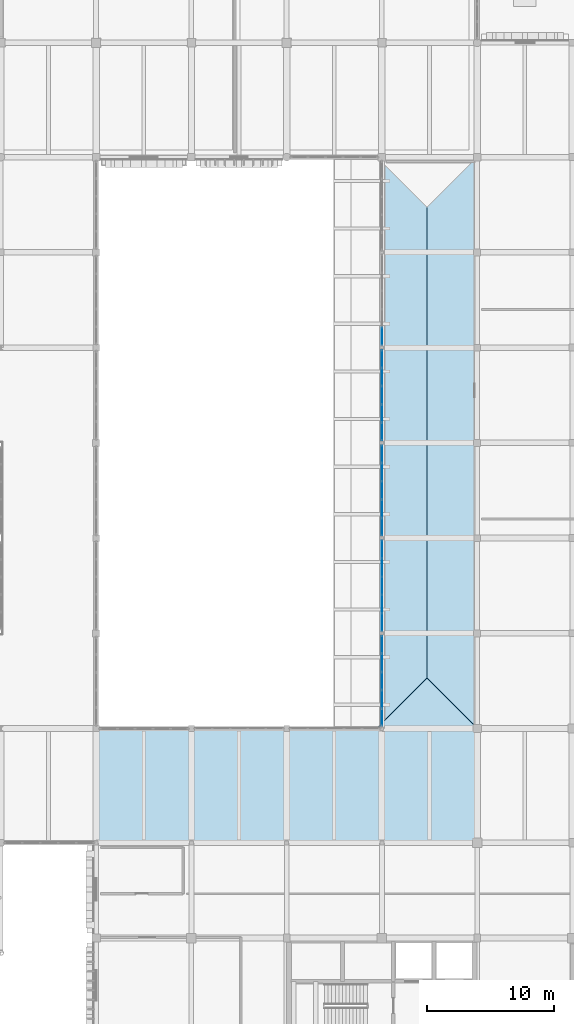
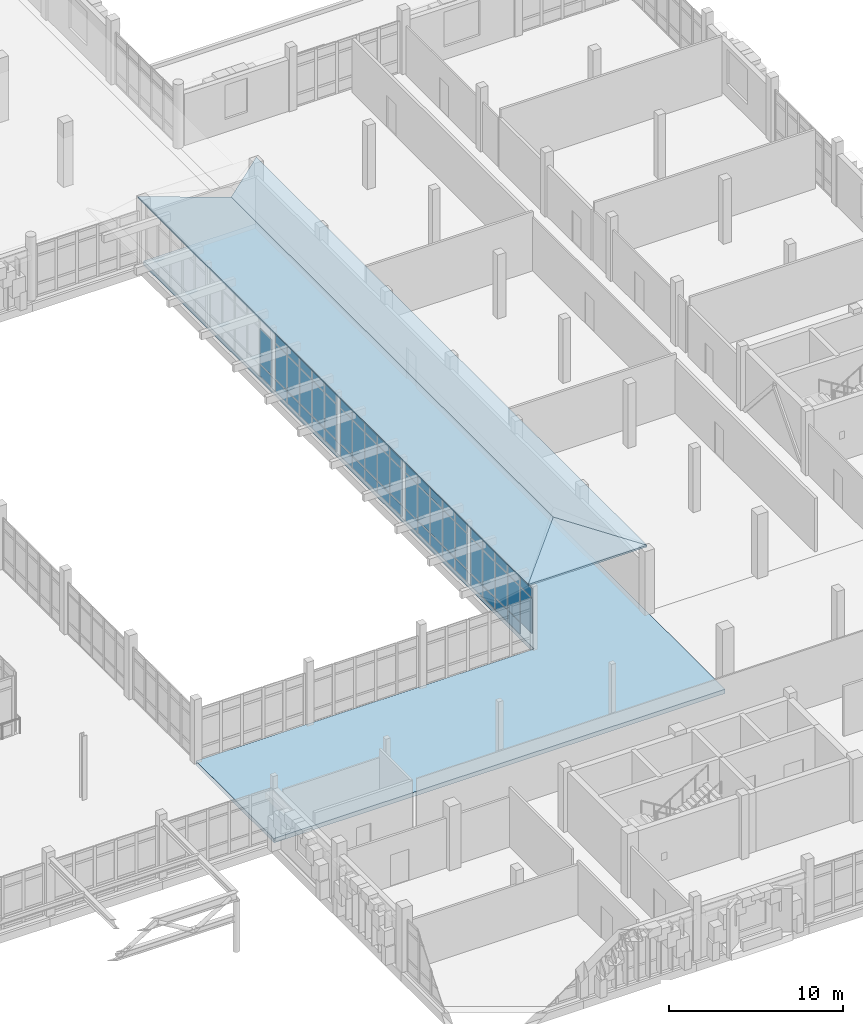
# One storey, part 88 of 128: 61 plates, 4 slabs, 6 elements without a shape of their own.
"""IFC4 building model written with IfcOpenShell, lengths in metres."""

from ifc_helpers import new_model, si_unit, direction, frame, origin, origin_2d, place, context, subcontext, project, spatial, polyline, rectangle, outline, extrude, material, layer, layer_set, type_object, element, aggregate, save


model = new_model("IFC4")

# Units and contexts
model_context = context("Model", 3, precision=1e-05, world=origin(), true_north=direction((0.0, 1.0)))
body_context = subcontext(model_context, "Body", "Model", "MODEL_VIEW")
ifc_project = project(units=[si_unit("LENGTHUNIT", "METRE"), si_unit("AREAUNIT", "SQUARE_METRE"), si_unit("VOLUMEUNIT", "CUBIC_METRE"), si_unit("PLANEANGLEUNIT", "RADIAN"), si_unit("MASSUNIT", "GRAM", prefix="KILO")], contexts=[model_context])

# Site, building, storey
site_placement = place(None, origin())
site = spatial("IfcSite", under=ifc_project, at=site_placement, CompositionType="ELEMENT")
building_placement = place(site_placement, origin())
building = spatial("IfcBuilding", under=site, at=building_placement, Name="Dalvernix Boulevard General Hospital", CompositionType="ELEMENT")
storey_placement = place(building_placement, frame((0.0, 0.0, 4.800048828125)))
storey = spatial("IfcBuildingStorey", under=building, at=storey_placement, Name="L01", CompositionType="ELEMENT", Elevation=4.800048828125)

# Curtain wall, plates
ifc_material_1 = material(Name="Thermally broken aluminium and solar-control glass curtain wall", Category="aluminium")
ifc_layer_1 = layer(ifc_material_1, 0.159912109375)
ifc_layer_set_1 = layer_set([ifc_layer_1], Name="Thermally broken aluminium and solar-control glass curtain wall (CW-CW-A-72x42)")
curtain_wall_type_1 = type_object("IfcCurtainWallType", Name="CW-CW-A-72x42", PredefinedType="USERDEFINED", material=ifc_layer_set_1)
curtain_wall_1_placement = place(storey_placement, origin())
curtain_wall_1 = element("IfcCurtainWall", 1, at=curtain_wall_1_placement, inside=storey, type_object=curtain_wall_type_1, Name="L01 curtain wall CW-A-72x42 18-5", ObjectType="GLAZED FACADE", PredefinedType="USERDEFINED")
ifc_material_2 = material(Name="Double-glazed solar-control low-emissivity glass", Category="glass")
ifc_layer_2 = layer(ifc_material_2, 0.02392578125)
ifc_layer_set_2 = layer_set([ifc_layer_2], Name="Double-glazed solar-control low-emissivity glass (PLT-CW-P1)")
plate_type_1 = type_object("IfcPlateType", Name="PLT-CW-P1", PredefinedType="CURTAIN_PANEL", material=ifc_layer_set_2)
plate_1_placement = place(storey_placement, frame((135.0, 39.885009765625, 0.059814453125), z_axis=(0.0, 0.0, 1.0), x_axis=(0.0, 1.0, 0.0)))
plate_1 = element("IfcPlate", 2, at=plate_1_placement, type_object=plate_type_1, Name="CW-A-72x42 panel 1.1", PredefinedType="CURTAIN_PANEL", context=body_context, shape_type="SweptSolid", body=[
    extrude(rectangle(XDim=1.35009765625, YDim=0.02392578125, at=origin_2d()), origin(), (0.0, 0.0, 1.0), 0.81005859375),
])
plate_2_placement = place(storey_placement, frame((135.0, 39.885009765625, 0.93017578125), z_axis=(0.0, 0.0, 1.0), x_axis=(0.0, 1.0, 0.0)))
plate_2 = element("IfcPlate", 3, at=plate_2_placement, type_object=plate_type_1, Name="CW-A-72x42 panel 1.2", PredefinedType="CURTAIN_PANEL", context=body_context, shape_type="SweptSolid", body=[
    extrude(rectangle(XDim=1.35009765625, YDim=0.02392578125, at=origin_2d()), origin(), (0.0, 0.0, 1.0), 2.469970703125),
])
plate_3_placement = place(storey_placement, frame((135.0, 39.885009765625, 3.4599609375), z_axis=(0.0, 0.0, 1.0), x_axis=(0.0, 1.0, 0.0)))
plate_3 = element("IfcPlate", 4, at=plate_3_placement, type_object=plate_type_1, Name="CW-A-72x42 panel 1.3", PredefinedType="CURTAIN_PANEL", context=body_context, shape_type="SweptSolid", body=[
    extrude(rectangle(XDim=1.35009765625, YDim=0.02392578125, at=origin_2d()), origin(), (0.0, 0.0, 1.0), 0.659912109375),
])
plate_4_placement = place(storey_placement, frame((135.0, 41.31005859375, 0.059814453125), z_axis=(0.0, 0.0, 1.0), x_axis=(0.0, 1.0, 0.0)))
plate_4 = element("IfcPlate", 5, at=plate_4_placement, type_object=plate_type_1, Name="CW-A-72x42 panel 2.1", PredefinedType="CURTAIN_PANEL", context=body_context, shape_type="SweptSolid", body=[
    extrude(rectangle(XDim=1.3798828125, YDim=0.02392578125, at=origin_2d()), origin(), (0.0, 0.0, 1.0), 0.81005859375),
])
plate_5_placement = place(storey_placement, frame((135.0, 41.31005859375, 0.93017578125), z_axis=(0.0, 0.0, 1.0), x_axis=(0.0, 1.0, 0.0)))
plate_5 = element("IfcPlate", 6, at=plate_5_placement, type_object=plate_type_1, Name="CW-A-72x42 panel 2.2", PredefinedType="CURTAIN_PANEL", context=body_context, shape_type="SweptSolid", body=[
    extrude(rectangle(XDim=1.3798828125, YDim=0.02392578125, at=origin_2d()), origin(), (0.0, 0.0, 1.0), 2.469970703125),
])
plate_6_placement = place(storey_placement, frame((135.0, 41.31005859375, 3.4599609375), z_axis=(0.0, 0.0, 1.0), x_axis=(0.0, 1.0, 0.0)))
plate_6 = element("IfcPlate", 7, at=plate_6_placement, type_object=plate_type_1, Name="CW-A-72x42 panel 2.3", PredefinedType="CURTAIN_PANEL", context=body_context, shape_type="SweptSolid", body=[
    extrude(rectangle(XDim=1.3798828125, YDim=0.02392578125, at=origin_2d()), origin(), (0.0, 0.0, 1.0), 0.659912109375),
])
plate_7_placement = place(storey_placement, frame((135.0, 42.75, 0.059814453125), z_axis=(0.0, 0.0, 1.0), x_axis=(0.0, 1.0, 0.0)))
plate_7 = element("IfcPlate", 8, at=plate_7_placement, type_object=plate_type_1, Name="CW-A-72x42 panel 3.1", PredefinedType="CURTAIN_PANEL", context=body_context, shape_type="SweptSolid", body=[
    extrude(rectangle(XDim=1.3798828125, YDim=0.02392578125, at=origin_2d()), origin(), (0.0, 0.0, 1.0), 0.81005859375),
])
plate_8_placement = place(storey_placement, frame((135.0, 42.75, 0.93017578125), z_axis=(0.0, 0.0, 1.0), x_axis=(0.0, 1.0, 0.0)))
plate_8 = element("IfcPlate", 9, at=plate_8_placement, type_object=plate_type_1, Name="CW-A-72x42 panel 3.2", PredefinedType="CURTAIN_PANEL", context=body_context, shape_type="SweptSolid", body=[
    extrude(rectangle(XDim=1.3798828125, YDim=0.02392578125, at=origin_2d()), origin(), (0.0, 0.0, 1.0), 2.469970703125),
])
plate_9_placement = place(storey_placement, frame((135.0, 42.75, 3.4599609375), z_axis=(0.0, 0.0, 1.0), x_axis=(0.0, 1.0, 0.0)))
plate_9 = element("IfcPlate", 10, at=plate_9_placement, type_object=plate_type_1, Name="CW-A-72x42 panel 3.3", PredefinedType="CURTAIN_PANEL", context=body_context, shape_type="SweptSolid", body=[
    extrude(rectangle(XDim=1.3798828125, YDim=0.02392578125, at=origin_2d()), origin(), (0.0, 0.0, 1.0), 0.659912109375),
])
plate_10_placement = place(storey_placement, frame((135.0, 44.18994140625, 0.059814453125), z_axis=(0.0, 0.0, 1.0), x_axis=(0.0, 1.0, 0.0)))
plate_10 = element("IfcPlate", 11, at=plate_10_placement, type_object=plate_type_1, Name="CW-A-72x42 panel 4.1", PredefinedType="CURTAIN_PANEL", context=body_context, shape_type="SweptSolid", body=[
    extrude(rectangle(XDim=1.3798828125, YDim=0.02392578125, at=origin_2d()), origin(), (0.0, 0.0, 1.0), 0.81005859375),
])
plate_11_placement = place(storey_placement, frame((135.0, 44.18994140625, 0.93017578125), z_axis=(0.0, 0.0, 1.0), x_axis=(0.0, 1.0, 0.0)))
plate_11 = element("IfcPlate", 12, at=plate_11_placement, type_object=plate_type_1, Name="CW-A-72x42 panel 4.2", PredefinedType="CURTAIN_PANEL", context=body_context, shape_type="SweptSolid", body=[
    extrude(rectangle(XDim=1.3798828125, YDim=0.02392578125, at=origin_2d()), origin(), (0.0, 0.0, 1.0), 2.469970703125),
])
plate_12_placement = place(storey_placement, frame((135.0, 44.18994140625, 3.4599609375), z_axis=(0.0, 0.0, 1.0), x_axis=(0.0, 1.0, 0.0)))
plate_12 = element("IfcPlate", 13, at=plate_12_placement, type_object=plate_type_1, Name="CW-A-72x42 panel 4.3", PredefinedType="CURTAIN_PANEL", context=body_context, shape_type="SweptSolid", body=[
    extrude(rectangle(XDim=1.3798828125, YDim=0.02392578125, at=origin_2d()), origin(), (0.0, 0.0, 1.0), 0.659912109375),
])
plate_13_placement = place(storey_placement, frame((135.0, 45.614990234375, 0.059814453125), z_axis=(0.0, 0.0, 1.0), x_axis=(0.0, 1.0, 0.0)))
plate_13 = element("IfcPlate", 14, at=plate_13_placement, type_object=plate_type_1, Name="CW-A-72x42 panel 5.1", PredefinedType="CURTAIN_PANEL", context=body_context, shape_type="SweptSolid", body=[
    extrude(rectangle(XDim=1.35009765625, YDim=0.02392578125, at=origin_2d()), origin(), (0.0, 0.0, 1.0), 0.81005859375),
])
plate_14_placement = place(storey_placement, frame((135.0, 45.614990234375, 0.93017578125), z_axis=(0.0, 0.0, 1.0), x_axis=(0.0, 1.0, 0.0)))
plate_14 = element("IfcPlate", 15, at=plate_14_placement, type_object=plate_type_1, Name="CW-A-72x42 panel 5.2", PredefinedType="CURTAIN_PANEL", context=body_context, shape_type="SweptSolid", body=[
    extrude(rectangle(XDim=1.35009765625, YDim=0.02392578125, at=origin_2d()), origin(), (0.0, 0.0, 1.0), 2.469970703125),
])
plate_15_placement = place(storey_placement, frame((135.0, 45.614990234375, 3.4599609375), z_axis=(0.0, 0.0, 1.0), x_axis=(0.0, 1.0, 0.0)))
plate_15 = element("IfcPlate", 16, at=plate_15_placement, type_object=plate_type_1, Name="CW-A-72x42 panel 5.3", PredefinedType="CURTAIN_PANEL", context=body_context, shape_type="SweptSolid", body=[
    extrude(rectangle(XDim=1.35009765625, YDim=0.02392578125, at=origin_2d()), origin(), (0.0, 0.0, 1.0), 0.659912109375),
])
aggregate(curtain_wall_1, [plate_1, plate_2, plate_3, plate_4, plate_5, plate_6, plate_7, plate_8, plate_9, plate_10, plate_11, plate_12, plate_13, plate_14, plate_15])

curtain_wall_2_placement = place(storey_placement, origin())
curtain_wall_2 = element("IfcCurtainWall", 17, at=curtain_wall_2_placement, inside=storey, type_object=curtain_wall_type_1, Name="L01 curtain wall CW-A-72x42 18-8", ObjectType="GLAZED FACADE", PredefinedType="USERDEFINED")
plate_16_placement = place(storey_placement, frame((135.0, 62.385009765625, 0.059814453125), z_axis=(0.0, 0.0, 1.0), x_axis=(0.0, 1.0, 0.0)))
plate_16 = element("IfcPlate", 18, at=plate_16_placement, type_object=plate_type_1, Name="CW-A-72x42 panel 1.1", PredefinedType="CURTAIN_PANEL", context=body_context, shape_type="SweptSolid", body=[
    extrude(rectangle(XDim=1.35009765625, YDim=0.02392578125, at=origin_2d()), origin(), (0.0, 0.0, 1.0), 0.81005859375),
])
plate_17_placement = place(storey_placement, frame((135.0, 62.385009765625, 0.93017578125), z_axis=(0.0, 0.0, 1.0), x_axis=(0.0, 1.0, 0.0)))
plate_17 = element("IfcPlate", 19, at=plate_17_placement, type_object=plate_type_1, Name="CW-A-72x42 panel 1.2", PredefinedType="CURTAIN_PANEL", context=body_context, shape_type="SweptSolid", body=[
    extrude(rectangle(XDim=1.35009765625, YDim=0.02392578125, at=origin_2d()), origin(), (0.0, 0.0, 1.0), 2.469970703125),
])
aggregate(curtain_wall_2, [plate_16, plate_17])

ifc_layer_3 = layer(ifc_material_1, 0.179931640625)
ifc_layer_set_3 = layer_set([ifc_layer_3], Name="Thermally broken aluminium and solar-control glass curtain wall (CW-CW-B-72x42)")
curtain_wall_type_2 = type_object("IfcCurtainWallType", Name="CW-CW-B-72x42", PredefinedType="USERDEFINED", material=ifc_layer_set_3)
curtain_wall_3_placement = place(storey_placement, origin())
curtain_wall_3 = element("IfcCurtainWall", 20, at=curtain_wall_3_placement, inside=storey, type_object=curtain_wall_type_2, Name="L01 curtain wall CW-B-72x42 18-6", ObjectType="GLAZED FACADE", PredefinedType="USERDEFINED")
ifc_layer_4 = layer(ifc_material_2, 0.028076171875)
ifc_layer_set_4 = layer_set([ifc_layer_4], Name="Double-glazed solar-control low-emissivity glass (PLT-CW-P2)")
plate_type_2 = type_object("IfcPlateType", Name="PLT-CW-P2", PredefinedType="CURTAIN_PANEL", material=ifc_layer_set_4)
plate_18_placement = place(storey_placement, frame((135.0, 47.38623046875, 0.06494140625), z_axis=(0.0, 0.0, 1.0), x_axis=(0.0, 1.0, 0.0)))
plate_18 = element("IfcPlate", 21, at=plate_18_placement, type_object=plate_type_2, Name="CW-B-72x42 panel 1.1", PredefinedType="CURTAIN_PANEL", context=body_context, shape_type="SweptSolid", body=[
    extrude(rectangle(XDim=1.342529296875, YDim=0.028076171875, at=origin_2d()), origin(), (0.0, 0.0, 1.0), 0.802490234375),
])
plate_19_placement = place(storey_placement, frame((135.0, 47.38623046875, 0.9326171875), z_axis=(0.0, 0.0, 1.0), x_axis=(0.0, 1.0, 0.0)))
plate_19 = element("IfcPlate", 22, at=plate_19_placement, type_object=plate_type_2, Name="CW-B-72x42 panel 1.2", PredefinedType="CURTAIN_PANEL", context=body_context, shape_type="SweptSolid", body=[
    extrude(rectangle(XDim=1.342529296875, YDim=0.028076171875, at=origin_2d()), origin(), (0.0, 0.0, 1.0), 2.465087890625),
])
plate_20_placement = place(storey_placement, frame((135.0, 47.38623046875, 3.46240234375), z_axis=(0.0, 0.0, 1.0), x_axis=(0.0, 1.0, 0.0)))
plate_20 = element("IfcPlate", 23, at=plate_20_placement, type_object=plate_type_2, Name="CW-B-72x42 panel 1.3", PredefinedType="CURTAIN_PANEL", context=body_context, shape_type="SweptSolid", body=[
    extrude(rectangle(XDim=1.342529296875, YDim=0.028076171875, at=origin_2d()), origin(), (0.0, 0.0, 1.0), 0.652587890625),
])
plate_21_placement = place(storey_placement, frame((135.0, 48.81005859375, 0.06494140625), z_axis=(0.0, 0.0, 1.0), x_axis=(0.0, 1.0, 0.0)))
plate_21 = element("IfcPlate", 24, at=plate_21_placement, type_object=plate_type_2, Name="CW-B-72x42 panel 2.1", PredefinedType="CURTAIN_PANEL", context=body_context, shape_type="SweptSolid", body=[
    extrude(rectangle(XDim=1.375, YDim=0.028076171875, at=origin_2d()), origin(), (0.0, 0.0, 1.0), 0.802490234375),
])
plate_22_placement = place(storey_placement, frame((135.0, 48.81005859375, 0.9326171875), z_axis=(0.0, 0.0, 1.0), x_axis=(0.0, 1.0, 0.0)))
plate_22 = element("IfcPlate", 25, at=plate_22_placement, type_object=plate_type_2, Name="CW-B-72x42 panel 2.2", PredefinedType="CURTAIN_PANEL", context=body_context, shape_type="SweptSolid", body=[
    extrude(rectangle(XDim=1.375, YDim=0.028076171875, at=origin_2d()), origin(), (0.0, 0.0, 1.0), 2.465087890625),
])
plate_23_placement = place(storey_placement, frame((135.0, 48.81005859375, 3.46240234375), z_axis=(0.0, 0.0, 1.0), x_axis=(0.0, 1.0, 0.0)))
plate_23 = element("IfcPlate", 26, at=plate_23_placement, type_object=plate_type_2, Name="CW-B-72x42 panel 2.3", PredefinedType="CURTAIN_PANEL", context=body_context, shape_type="SweptSolid", body=[
    extrude(rectangle(XDim=1.375, YDim=0.028076171875, at=origin_2d()), origin(), (0.0, 0.0, 1.0), 0.652587890625),
])
plate_24_placement = place(storey_placement, frame((135.0, 50.25, 0.06494140625), z_axis=(0.0, 0.0, 1.0), x_axis=(0.0, 1.0, 0.0)))
plate_24 = element("IfcPlate", 27, at=plate_24_placement, type_object=plate_type_2, Name="CW-B-72x42 panel 3.1", PredefinedType="CURTAIN_PANEL", context=body_context, shape_type="SweptSolid", body=[
    extrude(rectangle(XDim=1.375, YDim=0.028076171875, at=origin_2d()), origin(), (0.0, 0.0, 1.0), 0.802490234375),
])
plate_25_placement = place(storey_placement, frame((135.0, 50.25, 0.9326171875), z_axis=(0.0, 0.0, 1.0), x_axis=(0.0, 1.0, 0.0)))
plate_25 = element("IfcPlate", 28, at=plate_25_placement, type_object=plate_type_2, Name="CW-B-72x42 panel 3.2", PredefinedType="CURTAIN_PANEL", context=body_context, shape_type="SweptSolid", body=[
    extrude(rectangle(XDim=1.375, YDim=0.028076171875, at=origin_2d()), origin(), (0.0, 0.0, 1.0), 2.465087890625),
])
plate_26_placement = place(storey_placement, frame((135.0, 50.25, 3.46240234375), z_axis=(0.0, 0.0, 1.0), x_axis=(0.0, 1.0, 0.0)))
plate_26 = element("IfcPlate", 29, at=plate_26_placement, type_object=plate_type_2, Name="CW-B-72x42 panel 3.3", PredefinedType="CURTAIN_PANEL", context=body_context, shape_type="SweptSolid", body=[
    extrude(rectangle(XDim=1.375, YDim=0.028076171875, at=origin_2d()), origin(), (0.0, 0.0, 1.0), 0.652587890625),
])
plate_27_placement = place(storey_placement, frame((135.0, 51.68994140625, 0.06494140625), z_axis=(0.0, 0.0, 1.0), x_axis=(0.0, 1.0, 0.0)))
plate_27 = element("IfcPlate", 30, at=plate_27_placement, type_object=plate_type_2, Name="CW-B-72x42 panel 4.1", PredefinedType="CURTAIN_PANEL", context=body_context, shape_type="SweptSolid", body=[
    extrude(rectangle(XDim=1.375, YDim=0.028076171875, at=origin_2d()), origin(), (0.0, 0.0, 1.0), 0.802490234375),
])
plate_28_placement = place(storey_placement, frame((135.0, 51.68994140625, 0.9326171875), z_axis=(0.0, 0.0, 1.0), x_axis=(0.0, 1.0, 0.0)))
plate_28 = element("IfcPlate", 31, at=plate_28_placement, type_object=plate_type_2, Name="CW-B-72x42 panel 4.2", PredefinedType="CURTAIN_PANEL", context=body_context, shape_type="SweptSolid", body=[
    extrude(rectangle(XDim=1.375, YDim=0.028076171875, at=origin_2d()), origin(), (0.0, 0.0, 1.0), 2.465087890625),
])
plate_29_placement = place(storey_placement, frame((135.0, 51.68994140625, 3.46240234375), z_axis=(0.0, 0.0, 1.0), x_axis=(0.0, 1.0, 0.0)))
plate_29 = element("IfcPlate", 32, at=plate_29_placement, type_object=plate_type_2, Name="CW-B-72x42 panel 4.3", PredefinedType="CURTAIN_PANEL", context=body_context, shape_type="SweptSolid", body=[
    extrude(rectangle(XDim=1.375, YDim=0.028076171875, at=origin_2d()), origin(), (0.0, 0.0, 1.0), 0.652587890625),
])
plate_30_placement = place(storey_placement, frame((135.0, 53.11376953125, 0.06494140625), z_axis=(0.0, 0.0, 1.0), x_axis=(0.0, 1.0, 0.0)))
plate_30 = element("IfcPlate", 33, at=plate_30_placement, type_object=plate_type_2, Name="CW-B-72x42 panel 5.1", PredefinedType="CURTAIN_PANEL", context=body_context, shape_type="SweptSolid", body=[
    extrude(rectangle(XDim=1.342529296875, YDim=0.028076171875, at=origin_2d()), origin(), (0.0, 0.0, 1.0), 0.802490234375),
])
plate_31_placement = place(storey_placement, frame((135.0, 53.11376953125, 0.9326171875), z_axis=(0.0, 0.0, 1.0), x_axis=(0.0, 1.0, 0.0)))
plate_31 = element("IfcPlate", 34, at=plate_31_placement, type_object=plate_type_2, Name="CW-B-72x42 panel 5.2", PredefinedType="CURTAIN_PANEL", context=body_context, shape_type="SweptSolid", body=[
    extrude(rectangle(XDim=1.342529296875, YDim=0.028076171875, at=origin_2d()), origin(), (0.0, 0.0, 1.0), 2.465087890625),
])
plate_32_placement = place(storey_placement, frame((135.0, 53.11376953125, 3.46240234375), z_axis=(0.0, 0.0, 1.0), x_axis=(0.0, 1.0, 0.0)))
plate_32 = element("IfcPlate", 35, at=plate_32_placement, type_object=plate_type_2, Name="CW-B-72x42 panel 5.3", PredefinedType="CURTAIN_PANEL", context=body_context, shape_type="SweptSolid", body=[
    extrude(rectangle(XDim=1.342529296875, YDim=0.028076171875, at=origin_2d()), origin(), (0.0, 0.0, 1.0), 0.652587890625),
])
aggregate(curtain_wall_3, [plate_18, plate_19, plate_20, plate_21, plate_22, plate_23, plate_24, plate_25, plate_26, plate_27, plate_28, plate_29, plate_30, plate_31, plate_32])

ifc_layer_5 = layer(ifc_material_1, 0.199951171875)
ifc_layer_set_5 = layer_set([ifc_layer_5], Name="Thermally broken aluminium and solar-control glass curtain wall (CW-CW-C-72x42)")
curtain_wall_type_3 = type_object("IfcCurtainWallType", Name="CW-CW-C-72x42", PredefinedType="USERDEFINED", material=ifc_layer_set_5)
curtain_wall_4_placement = place(storey_placement, origin())
curtain_wall_4 = element("IfcCurtainWall", 36, at=curtain_wall_4_placement, inside=storey, type_object=curtain_wall_type_3, Name="L01 curtain wall CW-C-72x42 18-4", ObjectType="GLAZED FACADE", PredefinedType="USERDEFINED")
ifc_layer_6 = layer(ifc_material_2, 0.035888671875)
ifc_layer_set_6 = layer_set([ifc_layer_6], Name="Double-glazed solar-control low-emissivity glass (PLT-CW-P3)")
plate_type_3 = type_object("IfcPlateType", Name="PLT-CW-P3", PredefinedType="CURTAIN_PANEL", material=ifc_layer_set_6)
plate_33_placement = place(storey_placement, frame((135.0, 32.387451171875, 0.93505859375), z_axis=(0.0, 0.0, 1.0), x_axis=(0.0, 1.0, 0.0)))
plate_33 = element("IfcPlate", 37, at=plate_33_placement, type_object=plate_type_3, Name="CW-C-72x42 panel 1.2", PredefinedType="CURTAIN_PANEL", context=body_context, shape_type="SweptSolid", body=[
    extrude(rectangle(XDim=1.3349609375, YDim=0.035888671875, at=origin_2d()), origin(), (0.0, 0.0, 1.0), 2.4599609375),
])
plate_34_placement = place(storey_placement, frame((135.0, 32.387451171875, 3.46484375), z_axis=(0.0, 0.0, 1.0), x_axis=(0.0, 1.0, 0.0)))
plate_34 = element("IfcPlate", 38, at=plate_34_placement, type_object=plate_type_3, Name="CW-C-72x42 panel 1.3", PredefinedType="CURTAIN_PANEL", context=body_context, shape_type="SweptSolid", body=[
    extrude(rectangle(XDim=1.3349609375, YDim=0.035888671875, at=origin_2d()), origin(), (0.0, 0.0, 1.0), 0.64501953125),
])
plate_35_placement = place(storey_placement, frame((135.0, 33.81005859375, 0.070068359375), z_axis=(0.0, 0.0, 1.0), x_axis=(0.0, 1.0, 0.0)))
plate_35 = element("IfcPlate", 39, at=plate_35_placement, type_object=plate_type_3, Name="CW-C-72x42 panel 2.1", PredefinedType="CURTAIN_PANEL", context=body_context, shape_type="SweptSolid", body=[
    extrude(rectangle(XDim=1.3701171875, YDim=0.035888671875, at=origin_2d()), origin(), (0.0, 0.0, 1.0), 0.794921875),
])
plate_36_placement = place(storey_placement, frame((135.0, 33.81005859375, 0.93505859375), z_axis=(0.0, 0.0, 1.0), x_axis=(0.0, 1.0, 0.0)))
plate_36 = element("IfcPlate", 40, at=plate_36_placement, type_object=plate_type_3, Name="CW-C-72x42 panel 2.2", PredefinedType="CURTAIN_PANEL", context=body_context, shape_type="SweptSolid", body=[
    extrude(rectangle(XDim=1.3701171875, YDim=0.035888671875, at=origin_2d()), origin(), (0.0, 0.0, 1.0), 2.4599609375),
])
plate_37_placement = place(storey_placement, frame((135.0, 33.81005859375, 3.46484375), z_axis=(0.0, 0.0, 1.0), x_axis=(0.0, 1.0, 0.0)))
plate_37 = element("IfcPlate", 41, at=plate_37_placement, type_object=plate_type_3, Name="CW-C-72x42 panel 2.3", PredefinedType="CURTAIN_PANEL", context=body_context, shape_type="SweptSolid", body=[
    extrude(rectangle(XDim=1.3701171875, YDim=0.035888671875, at=origin_2d()), origin(), (0.0, 0.0, 1.0), 0.64501953125),
])
plate_38_placement = place(storey_placement, frame((135.0, 35.25, 0.070068359375), z_axis=(0.0, 0.0, 1.0), x_axis=(0.0, 1.0, 0.0)))
plate_38 = element("IfcPlate", 42, at=plate_38_placement, type_object=plate_type_3, Name="CW-C-72x42 panel 3.1", PredefinedType="CURTAIN_PANEL", context=body_context, shape_type="SweptSolid", body=[
    extrude(rectangle(XDim=1.3701171875, YDim=0.035888671875, at=origin_2d()), origin(), (0.0, 0.0, 1.0), 0.794921875),
])
plate_39_placement = place(storey_placement, frame((135.0, 35.25, 0.93505859375), z_axis=(0.0, 0.0, 1.0), x_axis=(0.0, 1.0, 0.0)))
plate_39 = element("IfcPlate", 43, at=plate_39_placement, type_object=plate_type_3, Name="CW-C-72x42 panel 3.2", PredefinedType="CURTAIN_PANEL", context=body_context, shape_type="SweptSolid", body=[
    extrude(rectangle(XDim=1.3701171875, YDim=0.035888671875, at=origin_2d()), origin(), (0.0, 0.0, 1.0), 2.4599609375),
])
plate_40_placement = place(storey_placement, frame((135.0, 35.25, 3.46484375), z_axis=(0.0, 0.0, 1.0), x_axis=(0.0, 1.0, 0.0)))
plate_40 = element("IfcPlate", 44, at=plate_40_placement, type_object=plate_type_3, Name="CW-C-72x42 panel 3.3", PredefinedType="CURTAIN_PANEL", context=body_context, shape_type="SweptSolid", body=[
    extrude(rectangle(XDim=1.3701171875, YDim=0.035888671875, at=origin_2d()), origin(), (0.0, 0.0, 1.0), 0.64501953125),
])
plate_41_placement = place(storey_placement, frame((135.0, 36.68994140625, 0.070068359375), z_axis=(0.0, 0.0, 1.0), x_axis=(0.0, 1.0, 0.0)))
plate_41 = element("IfcPlate", 45, at=plate_41_placement, type_object=plate_type_3, Name="CW-C-72x42 panel 4.1", PredefinedType="CURTAIN_PANEL", context=body_context, shape_type="SweptSolid", body=[
    extrude(rectangle(XDim=1.3701171875, YDim=0.035888671875, at=origin_2d()), origin(), (0.0, 0.0, 1.0), 0.794921875),
])
plate_42_placement = place(storey_placement, frame((135.0, 36.68994140625, 0.93505859375), z_axis=(0.0, 0.0, 1.0), x_axis=(0.0, 1.0, 0.0)))
plate_42 = element("IfcPlate", 46, at=plate_42_placement, type_object=plate_type_3, Name="CW-C-72x42 panel 4.2", PredefinedType="CURTAIN_PANEL", context=body_context, shape_type="SweptSolid", body=[
    extrude(rectangle(XDim=1.3701171875, YDim=0.035888671875, at=origin_2d()), origin(), (0.0, 0.0, 1.0), 2.4599609375),
])
plate_43_placement = place(storey_placement, frame((135.0, 36.68994140625, 3.46484375), z_axis=(0.0, 0.0, 1.0), x_axis=(0.0, 1.0, 0.0)))
plate_43 = element("IfcPlate", 47, at=plate_43_placement, type_object=plate_type_3, Name="CW-C-72x42 panel 4.3", PredefinedType="CURTAIN_PANEL", context=body_context, shape_type="SweptSolid", body=[
    extrude(rectangle(XDim=1.3701171875, YDim=0.035888671875, at=origin_2d()), origin(), (0.0, 0.0, 1.0), 0.64501953125),
])
plate_44_placement = place(storey_placement, frame((135.0, 38.112548828125, 0.070068359375), z_axis=(0.0, 0.0, 1.0), x_axis=(0.0, 1.0, 0.0)))
plate_44 = element("IfcPlate", 48, at=plate_44_placement, type_object=plate_type_3, Name="CW-C-72x42 panel 5.1", PredefinedType="CURTAIN_PANEL", context=body_context, shape_type="SweptSolid", body=[
    extrude(rectangle(XDim=1.3349609375, YDim=0.035888671875, at=origin_2d()), origin(), (0.0, 0.0, 1.0), 0.794921875),
])
plate_45_placement = place(storey_placement, frame((135.0, 38.112548828125, 0.93505859375), z_axis=(0.0, 0.0, 1.0), x_axis=(0.0, 1.0, 0.0)))
plate_45 = element("IfcPlate", 49, at=plate_45_placement, type_object=plate_type_3, Name="CW-C-72x42 panel 5.2", PredefinedType="CURTAIN_PANEL", context=body_context, shape_type="SweptSolid", body=[
    extrude(rectangle(XDim=1.3349609375, YDim=0.035888671875, at=origin_2d()), origin(), (0.0, 0.0, 1.0), 2.4599609375),
])
plate_46_placement = place(storey_placement, frame((135.0, 38.112548828125, 3.46484375), z_axis=(0.0, 0.0, 1.0), x_axis=(0.0, 1.0, 0.0)))
plate_46 = element("IfcPlate", 50, at=plate_46_placement, type_object=plate_type_3, Name="CW-C-72x42 panel 5.3", PredefinedType="CURTAIN_PANEL", context=body_context, shape_type="SweptSolid", body=[
    extrude(rectangle(XDim=1.3349609375, YDim=0.035888671875, at=origin_2d()), origin(), (0.0, 0.0, 1.0), 0.64501953125),
])
aggregate(curtain_wall_4, [plate_33, plate_34, plate_35, plate_36, plate_37, plate_38, plate_39, plate_40, plate_41, plate_42, plate_43, plate_44, plate_45, plate_46])

curtain_wall_5_placement = place(storey_placement, origin())
curtain_wall_5 = element("IfcCurtainWall", 51, at=curtain_wall_5_placement, inside=storey, type_object=curtain_wall_type_3, Name="L01 curtain wall CW-C-72x42 18-7", ObjectType="GLAZED FACADE", PredefinedType="USERDEFINED")
plate_47_placement = place(storey_placement, frame((135.0, 54.887451171875, 0.070068359375), z_axis=(0.0, 0.0, 1.0), x_axis=(0.0, 1.0, 0.0)))
plate_47 = element("IfcPlate", 52, at=plate_47_placement, type_object=plate_type_3, Name="CW-C-72x42 panel 1.1", PredefinedType="CURTAIN_PANEL", context=body_context, shape_type="SweptSolid", body=[
    extrude(rectangle(XDim=1.3349609375, YDim=0.035888671875, at=origin_2d()), origin(), (0.0, 0.0, 1.0), 0.794921875),
])
plate_48_placement = place(storey_placement, frame((135.0, 54.887451171875, 0.93505859375), z_axis=(0.0, 0.0, 1.0), x_axis=(0.0, 1.0, 0.0)))
plate_48 = element("IfcPlate", 53, at=plate_48_placement, type_object=plate_type_3, Name="CW-C-72x42 panel 1.2", PredefinedType="CURTAIN_PANEL", context=body_context, shape_type="SweptSolid", body=[
    extrude(rectangle(XDim=1.3349609375, YDim=0.035888671875, at=origin_2d()), origin(), (0.0, 0.0, 1.0), 2.4599609375),
])
plate_49_placement = place(storey_placement, frame((135.0, 54.887451171875, 3.46484375), z_axis=(0.0, 0.0, 1.0), x_axis=(0.0, 1.0, 0.0)))
plate_49 = element("IfcPlate", 54, at=plate_49_placement, type_object=plate_type_3, Name="CW-C-72x42 panel 1.3", PredefinedType="CURTAIN_PANEL", context=body_context, shape_type="SweptSolid", body=[
    extrude(rectangle(XDim=1.3349609375, YDim=0.035888671875, at=origin_2d()), origin(), (0.0, 0.0, 1.0), 0.64501953125),
])
plate_50_placement = place(storey_placement, frame((135.0, 56.31005859375, 0.070068359375), z_axis=(0.0, 0.0, 1.0), x_axis=(0.0, 1.0, 0.0)))
plate_50 = element("IfcPlate", 55, at=plate_50_placement, type_object=plate_type_3, Name="CW-C-72x42 panel 2.1", PredefinedType="CURTAIN_PANEL", context=body_context, shape_type="SweptSolid", body=[
    extrude(rectangle(XDim=1.3701171875, YDim=0.035888671875, at=origin_2d()), origin(), (0.0, 0.0, 1.0), 0.794921875),
])
plate_51_placement = place(storey_placement, frame((135.0, 56.31005859375, 0.93505859375), z_axis=(0.0, 0.0, 1.0), x_axis=(0.0, 1.0, 0.0)))
plate_51 = element("IfcPlate", 56, at=plate_51_placement, type_object=plate_type_3, Name="CW-C-72x42 panel 2.2", PredefinedType="CURTAIN_PANEL", context=body_context, shape_type="SweptSolid", body=[
    extrude(rectangle(XDim=1.3701171875, YDim=0.035888671875, at=origin_2d()), origin(), (0.0, 0.0, 1.0), 2.4599609375),
])
plate_52_placement = place(storey_placement, frame((135.0, 56.31005859375, 3.46484375), z_axis=(0.0, 0.0, 1.0), x_axis=(0.0, 1.0, 0.0)))
plate_52 = element("IfcPlate", 57, at=plate_52_placement, type_object=plate_type_3, Name="CW-C-72x42 panel 2.3", PredefinedType="CURTAIN_PANEL", context=body_context, shape_type="SweptSolid", body=[
    extrude(rectangle(XDim=1.3701171875, YDim=0.035888671875, at=origin_2d()), origin(), (0.0, 0.0, 1.0), 0.64501953125),
])
plate_53_placement = place(storey_placement, frame((135.0, 57.75, 0.070068359375), z_axis=(0.0, 0.0, 1.0), x_axis=(0.0, 1.0, 0.0)))
plate_53 = element("IfcPlate", 58, at=plate_53_placement, type_object=plate_type_3, Name="CW-C-72x42 panel 3.1", PredefinedType="CURTAIN_PANEL", context=body_context, shape_type="SweptSolid", body=[
    extrude(rectangle(XDim=1.3701171875, YDim=0.035888671875, at=origin_2d()), origin(), (0.0, 0.0, 1.0), 0.794921875),
])
plate_54_placement = place(storey_placement, frame((135.0, 57.75, 0.93505859375), z_axis=(0.0, 0.0, 1.0), x_axis=(0.0, 1.0, 0.0)))
plate_54 = element("IfcPlate", 59, at=plate_54_placement, type_object=plate_type_3, Name="CW-C-72x42 panel 3.2", PredefinedType="CURTAIN_PANEL", context=body_context, shape_type="SweptSolid", body=[
    extrude(rectangle(XDim=1.3701171875, YDim=0.035888671875, at=origin_2d()), origin(), (0.0, 0.0, 1.0), 2.4599609375),
])
plate_55_placement = place(storey_placement, frame((135.0, 57.75, 3.46484375), z_axis=(0.0, 0.0, 1.0), x_axis=(0.0, 1.0, 0.0)))
plate_55 = element("IfcPlate", 60, at=plate_55_placement, type_object=plate_type_3, Name="CW-C-72x42 panel 3.3", PredefinedType="CURTAIN_PANEL", context=body_context, shape_type="SweptSolid", body=[
    extrude(rectangle(XDim=1.3701171875, YDim=0.035888671875, at=origin_2d()), origin(), (0.0, 0.0, 1.0), 0.64501953125),
])
plate_56_placement = place(storey_placement, frame((135.0, 59.18994140625, 0.070068359375), z_axis=(0.0, 0.0, 1.0), x_axis=(0.0, 1.0, 0.0)))
plate_56 = element("IfcPlate", 61, at=plate_56_placement, type_object=plate_type_3, Name="CW-C-72x42 panel 4.1", PredefinedType="CURTAIN_PANEL", context=body_context, shape_type="SweptSolid", body=[
    extrude(rectangle(XDim=1.3701171875, YDim=0.035888671875, at=origin_2d()), origin(), (0.0, 0.0, 1.0), 0.794921875),
])
plate_57_placement = place(storey_placement, frame((135.0, 59.18994140625, 0.93505859375), z_axis=(0.0, 0.0, 1.0), x_axis=(0.0, 1.0, 0.0)))
plate_57 = element("IfcPlate", 62, at=plate_57_placement, type_object=plate_type_3, Name="CW-C-72x42 panel 4.2", PredefinedType="CURTAIN_PANEL", context=body_context, shape_type="SweptSolid", body=[
    extrude(rectangle(XDim=1.3701171875, YDim=0.035888671875, at=origin_2d()), origin(), (0.0, 0.0, 1.0), 2.4599609375),
])
plate_58_placement = place(storey_placement, frame((135.0, 59.18994140625, 3.46484375), z_axis=(0.0, 0.0, 1.0), x_axis=(0.0, 1.0, 0.0)))
plate_58 = element("IfcPlate", 63, at=plate_58_placement, type_object=plate_type_3, Name="CW-C-72x42 panel 4.3", PredefinedType="CURTAIN_PANEL", context=body_context, shape_type="SweptSolid", body=[
    extrude(rectangle(XDim=1.3701171875, YDim=0.035888671875, at=origin_2d()), origin(), (0.0, 0.0, 1.0), 0.64501953125),
])
plate_59_placement = place(storey_placement, frame((135.0, 60.612548828125, 0.070068359375), z_axis=(0.0, 0.0, 1.0), x_axis=(0.0, 1.0, 0.0)))
plate_59 = element("IfcPlate", 64, at=plate_59_placement, type_object=plate_type_3, Name="CW-C-72x42 panel 5.1", PredefinedType="CURTAIN_PANEL", context=body_context, shape_type="SweptSolid", body=[
    extrude(rectangle(XDim=1.3349609375, YDim=0.035888671875, at=origin_2d()), origin(), (0.0, 0.0, 1.0), 0.794921875),
])
plate_60_placement = place(storey_placement, frame((135.0, 60.612548828125, 0.93505859375), z_axis=(0.0, 0.0, 1.0), x_axis=(0.0, 1.0, 0.0)))
plate_60 = element("IfcPlate", 65, at=plate_60_placement, type_object=plate_type_3, Name="CW-C-72x42 panel 5.2", PredefinedType="CURTAIN_PANEL", context=body_context, shape_type="SweptSolid", body=[
    extrude(rectangle(XDim=1.3349609375, YDim=0.035888671875, at=origin_2d()), origin(), (0.0, 0.0, 1.0), 2.4599609375),
])
plate_61_placement = place(storey_placement, frame((135.0, 60.612548828125, 3.46484375), z_axis=(0.0, 0.0, 1.0), x_axis=(0.0, 1.0, 0.0)))
plate_61 = element("IfcPlate", 66, at=plate_61_placement, type_object=plate_type_3, Name="CW-C-72x42 panel 5.3", PredefinedType="CURTAIN_PANEL", context=body_context, shape_type="SweptSolid", body=[
    extrude(rectangle(XDim=1.3349609375, YDim=0.035888671875, at=origin_2d()), origin(), (0.0, 0.0, 1.0), 0.64501953125),
])
aggregate(curtain_wall_5, [plate_47, plate_48, plate_49, plate_50, plate_51, plate_52, plate_53, plate_54, plate_55, plate_56, plate_57, plate_58, plate_59, plate_60, plate_61])

# Slab
ifc_material_3 = material(Name="Concrete C35/45", Category="concrete")
ifc_layer_7 = layer(ifc_material_3, 0.300048828125)
ifc_layer_set_7 = layer_set([ifc_layer_7], Name="Concrete C35/45 (SLB-FS-03)")
slab_type_1 = type_object("IfcSlabType", Name="SLB-FS-03", PredefinedType="FLOOR", material=ifc_layer_set_7)
slab_1_placement = place(storey_placement, frame((0.0, 0.0, -0.300048828125)))
element("IfcSlab", 67, at=slab_1_placement, inside=storey, type_object=slab_type_1, Name="L01 V6 structural floor slab 2", PredefinedType="FLOOR", context=body_context, shape_type="SweptSolid", body=[
    extrude(outline(polyline([(127.5, 31.5), (135.0, 31.5), (135.0, 39.0), (135.0, 46.5), (135.0, 54.0), (135.0, 61.5), (135.0, 69.0), (135.0, 76.5), (142.5, 76.5), (142.5, 69.0), (142.5, 61.5), (142.5, 54.0), (142.5, 46.5), (142.5, 39.0), (142.5, 31.5), (142.5, 22.5), (135.0, 22.5), (127.5, 22.5), (120.0, 22.5), (112.5, 22.5), (112.5, 31.5), (120.0, 31.5), (127.5, 31.5)])), origin(), (0.0, 0.0, 1.0), 0.300048828125),
])

# Roof, slabs
ifc_material_4 = material(Name="Polychrome Catalan glazed terracotta tile roof system", Category="masonry")
roof_type = type_object("IfcRoofType", Name="ROOF-HIP-01", PredefinedType="HIP_ROOF", material=ifc_material_4)
roof_placement = place(storey_placement, origin())
roof = element("IfcRoof", 68, at=roof_placement, inside=storey, type_object=roof_type, Name="V6E Hipped Ceramic Roof", PredefinedType="HIP_ROOF")
ifc_material_5 = material(Name="Glulam GL28h", Category="wood")
ifc_layer_8 = layer(ifc_material_5, 0.159912109375)
ifc_layer_set_8 = layer_set([ifc_layer_8], Name="Glulam GL28h (SLB-RS-04)")
slab_type_2 = type_object("IfcSlabType", Name="SLB-RS-04", PredefinedType="ROOF", material=ifc_layer_set_8)
slab_2_placement = place(storey_placement, frame((134.60009765625, 76.5, 4.664794921875), z_axis=(-0.238536653022, 0.0, 0.971133495028), x_axis=(0.0, -1.0, 0.0)))
slab_2 = element("IfcSlab", 69, at=slab_2_placement, type_object=slab_type_2, Name="V6E hipped roof slab W", PredefinedType="ROOF", context=body_context, shape_type="SweptSolid", body=[
    extrude(outline(polyline([(0.0, 0.0), (45.0, 0.0), (41.050048828125, 4.06736168827282), (3.949951171875, 4.06736168827282), (0.0, 0.0)])), origin(), (0.0, 0.0, -1.0), 0.159912109375),
])
slab_3_placement = place(storey_placement, frame((142.5, 31.5, 4.664794921875), z_axis=(0.238536653022, 0.0, 0.971133495028), x_axis=(0.0, 1.0, 0.0)))
slab_3 = element("IfcSlab", 70, at=slab_3_placement, type_object=slab_type_2, Name="V6E hipped roof slab E", PredefinedType="ROOF", context=body_context, shape_type="SweptSolid", body=[
    extrude(outline(polyline([(0.0, 0.0), (45.0, 0.0), (41.050048828125, 4.06736168827282), (3.949951171875, 4.06736168827282), (0.0, 0.0)])), origin(), (0.0, 0.0, -1.0), 0.159912109375),
])
slab_4_placement = place(storey_placement, frame((134.60009765625, 31.5, 4.664794921875), z_axis=(0.0, -0.238536653022, 0.971133495028), x_axis=(1.0, 0.0, 0.0)))
slab_4 = element("IfcSlab", 71, at=slab_4_placement, type_object=slab_type_2, Name="V6E hipped roof slab S", PredefinedType="ROOF", context=body_context, shape_type="SweptSolid", body=[
    extrude(outline(polyline([(0.0, 0.0), (7.89990234375, 0.0), (3.949951171875, 4.06736168827282), (0.0, 0.0)])), origin(), (0.0, 0.0, -1.0), 0.159912109375),
])
aggregate(roof, [slab_2, slab_3, slab_4])

save(model, "model.ifc")
